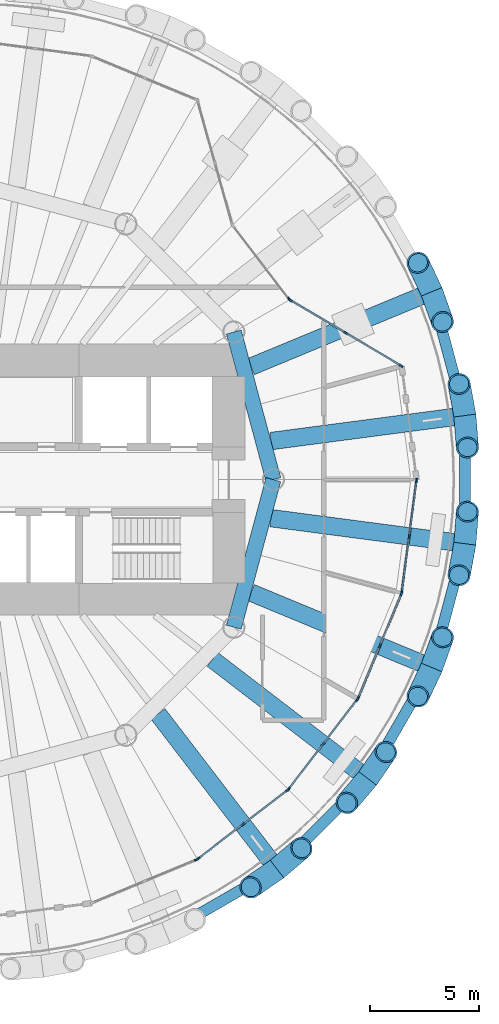
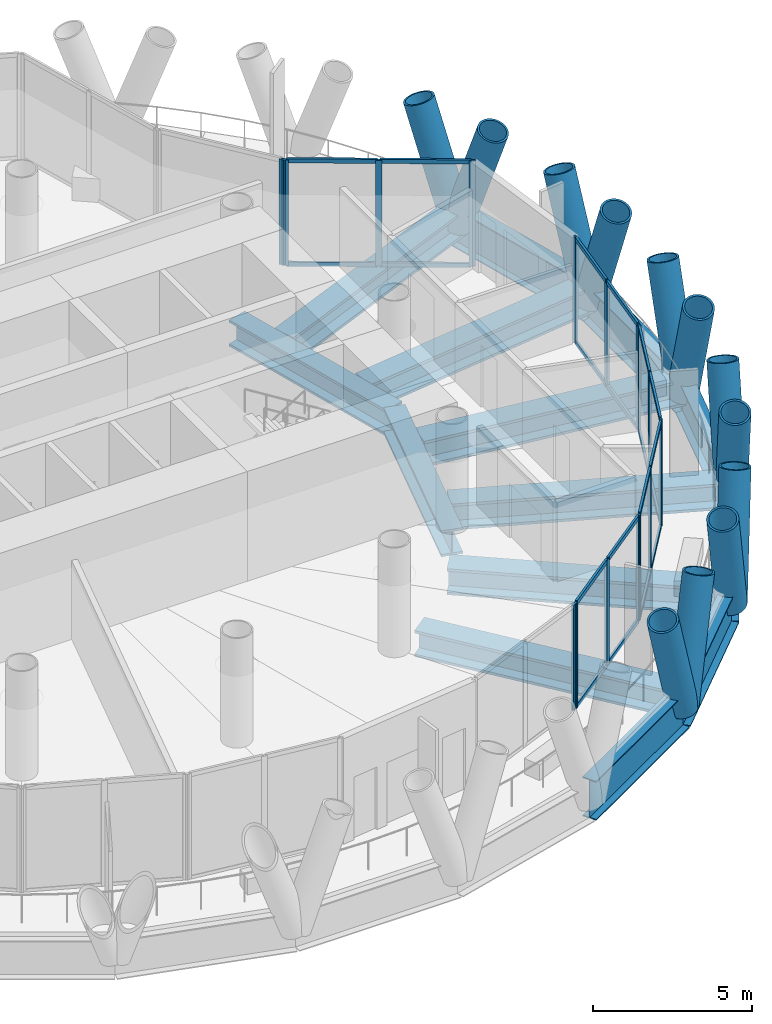
# One storey, part 4 of 14: 49 members, 14 beams, 7 elements without a shape of their own.
"""IFC4 building model written with IfcOpenShell, lengths in metres."""

from ifc_helpers import new_model, si_unit, direction, frame, origin, origin_2d, place, context, subcontext, project, spatial, rectangle, hollow_circle, i_section, extrude, material, material_profile, profile_set, type_object, element, aggregate, save


model = new_model("IFC4")

# Units and contexts
model_context = context("Model", 3, precision=1e-05, world=origin(), true_north=direction((0.0, 1.0)))
body_context = subcontext(model_context, "Body", "Model", "MODEL_VIEW")
ifc_project = project(units=[si_unit("LENGTHUNIT", "METRE"), si_unit("AREAUNIT", "SQUARE_METRE"), si_unit("VOLUMEUNIT", "CUBIC_METRE"), si_unit("PLANEANGLEUNIT", "RADIAN"), si_unit("MASSUNIT", "GRAM", prefix="KILO")], contexts=[model_context])

# Site, building, storey
site_placement = place(None, origin())
site = spatial("IfcSite", under=ifc_project, at=site_placement, CompositionType="ELEMENT")
building_placement = place(site_placement, origin())
building = spatial("IfcBuilding", under=site, at=building_placement, Name="Qaws Media Tower", CompositionType="ELEMENT")
storey_placement = place(building_placement, frame((0.0, 0.0, 236.0)))
storey = spatial("IfcBuildingStorey", under=building, at=storey_placement, Name="L54", CompositionType="ELEMENT", Elevation=236.0)

# Curtain wall, members
ifc_material_1 = material(Name="Aluminium and clear glass", Category="aluminium")
curtain_wall_type_1 = type_object("IfcCurtainWallType", Name="Loggia curtain wall CW-G", PredefinedType="NOTDEFINED", material=ifc_material_1)
curtain_wall_1_placement = place(storey_placement, origin())
curtain_wall_1 = element("IfcCurtainWall", 1, at=curtain_wall_1_placement, inside=storey, type_object=curtain_wall_type_1, Name="CWG curtain wall L54-02", PredefinedType="NOTDEFINED")
ifc_material_2 = material(Name="Aluminium mullion", Category="aluminium")
ifc_material_profile_1 = material_profile(ifc_material_2, rectangle(XDim=0.080078125, YDim=0.199951171875, at=origin_2d()), Name="80x200")
ifc_profile_set_1 = profile_set([ifc_material_profile_1], Name="Aluminium mullion")
member_type_1 = type_object("IfcMemberType", Name="Curtain wall mullion 80x200", PredefinedType="MULLION", material=ifc_profile_set_1)
member_1_placement = place(storey_placement, frame((79.33251953125, 55.209716796875, 0.0), z_axis=(0.0, 0.0, 1.0), x_axis=(-0.509950589122, -0.860203694862, 0.0)))
member_1 = element("IfcMember", 2, at=member_1_placement, type_object=member_type_1, Name="CWG mullion 1", PredefinedType="MULLION", context=body_context, shape_type="SweptSolid", body=[
    extrude(rectangle(XDim=0.080078125, YDim=0.199951171875, at=origin_2d()), origin(), (0.0, 0.0, 1.0), 4.0400390625),
])
member_2_placement = place(storey_placement, frame((76.806396484375, 56.707275390625, 0.0), z_axis=(0.0, 0.0, 1.0), x_axis=(-0.509950589122, -0.860203694862, 0.0)))
member_2 = element("IfcMember", 3, at=member_2_placement, type_object=member_type_1, Name="CWG mullion 2", PredefinedType="MULLION", context=body_context, shape_type="SweptSolid", body=[
    extrude(rectangle(XDim=0.080078125, YDim=0.199951171875, at=origin_2d()), origin(), (0.0, 0.0, 1.0), 4.0400390625),
])
member_3_placement = place(storey_placement, frame((74.280517578125, 58.20458984375, 0.0), z_axis=(0.0, 0.0, 1.0), x_axis=(-0.509950589122, -0.860203694862, 0.0)))
member_3 = element("IfcMember", 4, at=member_3_placement, type_object=member_type_1, Name="CWG mullion 3", PredefinedType="MULLION", context=body_context, shape_type="SweptSolid", body=[
    extrude(rectangle(XDim=0.080078125, YDim=0.199951171875, at=origin_2d()), origin(), (0.0, 0.0, 1.0), 4.0400390625),
])

# Curtain wall, member
curtain_wall_2_placement = place(storey_placement, origin())
curtain_wall_2 = element("IfcCurtainWall", 5, at=curtain_wall_2_placement, inside=storey, type_object=curtain_wall_type_1, Name="CWG curtain wall L54-03", PredefinedType="NOTDEFINED")
member_4_placement = place(storey_placement, frame((74.2216796875, 58.2568359375, 0.0), z_axis=(0.0, 0.0, 1.0), x_axis=(-0.793353417513, -0.608761328371, 0.0)))
member_4 = element("IfcMember", 6, at=member_4_placement, type_object=member_type_1, Name="CWG mullion 1", PredefinedType="MULLION", context=body_context, shape_type="SweptSolid", body=[
    extrude(rectangle(XDim=0.080078125, YDim=0.199951171875, at=origin_2d()), origin(), (0.0, 0.0, 1.0), 4.0400390625),
])
aggregate(curtain_wall_2, [member_4])

ifc_material_3 = material(Name="Aluminium and clear glass", Category="aluminium")
curtain_wall_type_2 = type_object("IfcCurtainWallType", Name="Unitised curtain wall CW-C", PredefinedType="NOTDEFINED", material=ifc_material_3)
curtain_wall_3_placement = place(storey_placement, origin())
curtain_wall_3 = element("IfcCurtainWall", 7, at=curtain_wall_3_placement, inside=storey, type_object=curtain_wall_type_2, Name="CWC curtain wall L54-20", PredefinedType="NOTDEFINED")
member_5_placement = place(storey_placement, frame((69.988037109375, 32.620849609375, 0.0), z_axis=(0.0, 0.0, 1.0), x_axis=(-0.382683528436, 0.923879492717, 0.0)))
member_5 = element("IfcMember", 8, at=member_5_placement, type_object=member_type_1, Name="CWC mullion 3", PredefinedType="MULLION", context=body_context, shape_type="SweptSolid", body=[
    extrude(rectangle(XDim=0.080078125, YDim=0.199951171875, at=origin_2d()), origin(), (0.0, 0.0, 1.0), 4.0400390625),
])
aggregate(curtain_wall_3, [member_5])

# Curtain wall, members
curtain_wall_4_placement = place(storey_placement, origin())
curtain_wall_4 = element("IfcCurtainWall", 9, at=curtain_wall_4_placement, inside=storey, type_object=curtain_wall_type_2, Name="CWC curtain wall L54-21", PredefinedType="NOTDEFINED")
member_6_placement = place(storey_placement, frame((70.056640625, 32.66064453125, 0.0), z_axis=(0.0, 0.0, 1.0), x_axis=(-0.608761379507, 0.793353378275, 0.0)))
member_6 = element("IfcMember", 10, at=member_6_placement, type_object=member_type_1, Name="CWC mullion 1", PredefinedType="MULLION", context=body_context, shape_type="SweptSolid", body=[
    extrude(rectangle(XDim=0.080078125, YDim=0.199951171875, at=origin_2d()), origin(), (0.0, 0.0, 1.0), 4.0400390625),
])
member_7_placement = place(storey_placement, frame((72.101318359375, 34.229248046875, 0.0), z_axis=(0.0, 0.0, 1.0), x_axis=(-0.608761379507, 0.793353378275, 0.0)))
member_7 = element("IfcMember", 11, at=member_7_placement, type_object=member_type_1, Name="CWC mullion 2", PredefinedType="MULLION", context=body_context, shape_type="SweptSolid", body=[
    extrude(rectangle(XDim=0.080078125, YDim=0.199951171875, at=origin_2d()), origin(), (0.0, 0.0, 1.0), 4.0400390625),
])
member_8_placement = place(storey_placement, frame((74.145751953125, 35.798095703125, 0.0), z_axis=(0.0, 0.0, 1.0), x_axis=(-0.608761379507, 0.793353378275, 0.0)))
member_8 = element("IfcMember", 12, at=member_8_placement, type_object=member_type_1, Name="CWC mullion 3", PredefinedType="MULLION", context=body_context, shape_type="SweptSolid", body=[
    extrude(rectangle(XDim=0.080078125, YDim=0.199951171875, at=origin_2d()), origin(), (0.0, 0.0, 1.0), 4.0400390625),
])

curtain_wall_5_placement = place(storey_placement, origin())
curtain_wall_5 = element("IfcCurtainWall", 13, at=curtain_wall_5_placement, inside=storey, type_object=curtain_wall_type_2, Name="CWC curtain wall L54-22", PredefinedType="NOTDEFINED")
member_9_placement = place(storey_placement, frame((74.201904296875, 35.854248046875, 0.0), z_axis=(0.0, 0.0, 1.0), x_axis=(-0.793353378275, 0.608761379507, 0.0)))
member_9 = element("IfcMember", 14, at=member_9_placement, type_object=member_type_1, Name="CWC mullion 1", PredefinedType="MULLION", context=body_context, shape_type="SweptSolid", body=[
    extrude(rectangle(XDim=0.080078125, YDim=0.199951171875, at=origin_2d()), origin(), (0.0, 0.0, 1.0), 4.0400390625),
])
member_10_placement = place(storey_placement, frame((75.770751953125, 37.898681640625, 0.0), z_axis=(0.0, 0.0, 1.0), x_axis=(-0.793353378275, 0.608761379507, 0.0)))
member_10 = element("IfcMember", 15, at=member_10_placement, type_object=member_type_1, Name="CWC mullion 2", PredefinedType="MULLION", context=body_context, shape_type="SweptSolid", body=[
    extrude(rectangle(XDim=0.080078125, YDim=0.199951171875, at=origin_2d()), origin(), (0.0, 0.0, 1.0), 4.0400390625),
])
member_11_placement = place(storey_placement, frame((77.33935546875, 39.943359375, 0.0), z_axis=(0.0, 0.0, 1.0), x_axis=(-0.793353378275, 0.608761379507, 0.0)))
member_11 = element("IfcMember", 16, at=member_11_placement, type_object=member_type_1, Name="CWC mullion 3", PredefinedType="MULLION", context=body_context, shape_type="SweptSolid", body=[
    extrude(rectangle(XDim=0.080078125, YDim=0.199951171875, at=origin_2d()), origin(), (0.0, 0.0, 1.0), 4.0400390625),
])

curtain_wall_6_placement = place(storey_placement, origin())
curtain_wall_6 = element("IfcCurtainWall", 17, at=curtain_wall_6_placement, inside=storey, type_object=curtain_wall_type_2, Name="CWC curtain wall L54-23", PredefinedType="NOTDEFINED")
member_12_placement = place(storey_placement, frame((77.379150390625, 40.011962890625, 0.0), z_axis=(0.0, 0.0, 1.0), x_axis=(-0.923879492717, 0.382683528436, 0.0)))
member_12 = element("IfcMember", 18, at=member_12_placement, type_object=member_type_1, Name="CWC mullion 1", PredefinedType="MULLION", context=body_context, shape_type="SweptSolid", body=[
    extrude(rectangle(XDim=0.080078125, YDim=0.199951171875, at=origin_2d()), origin(), (0.0, 0.0, 1.0), 4.0400390625),
])
member_13_placement = place(storey_placement, frame((78.365234375, 42.392822265625, 0.0), z_axis=(0.0, 0.0, 1.0), x_axis=(-0.923879492717, 0.382683528436, 0.0)))
member_13 = element("IfcMember", 19, at=member_13_placement, type_object=member_type_1, Name="CWC mullion 2", PredefinedType="MULLION", context=body_context, shape_type="SweptSolid", body=[
    extrude(rectangle(XDim=0.080078125, YDim=0.199951171875, at=origin_2d()), origin(), (0.0, 0.0, 1.0), 4.0400390625),
])
member_14_placement = place(storey_placement, frame((79.3515625, 44.773681640625, 0.0), z_axis=(0.0, 0.0, 1.0), x_axis=(-0.923879492717, 0.382683528436, 0.0)))
member_14 = element("IfcMember", 20, at=member_14_placement, type_object=member_type_1, Name="CWC mullion 3", PredefinedType="MULLION", context=body_context, shape_type="SweptSolid", body=[
    extrude(rectangle(XDim=0.080078125, YDim=0.199951171875, at=origin_2d()), origin(), (0.0, 0.0, 1.0), 4.0400390625),
])

curtain_wall_7_placement = place(storey_placement, origin())
curtain_wall_7 = element("IfcCurtainWall", 21, at=curtain_wall_7_placement, inside=storey, type_object=curtain_wall_type_2, Name="CWC curtain wall L54-24", PredefinedType="NOTDEFINED")
member_15_placement = place(storey_placement, frame((79.3720703125, 44.850341796875, 0.0), z_axis=(0.0, 0.0, 1.0), x_axis=(-0.99144486637, 0.130526154272, 0.0)))
member_15 = element("IfcMember", 22, at=member_15_placement, type_object=member_type_1, Name="CWC mullion 1", PredefinedType="MULLION", context=body_context, shape_type="SweptSolid", body=[
    extrude(rectangle(XDim=0.080078125, YDim=0.199951171875, at=origin_2d()), origin(), (0.0, 0.0, 1.0), 4.0400390625),
])
member_16_placement = place(storey_placement, frame((79.70849609375, 47.4052734375, 0.0), z_axis=(0.0, 0.0, 1.0), x_axis=(-0.99144486637, 0.130526154272, 0.0)))
member_16 = element("IfcMember", 23, at=member_16_placement, type_object=member_type_1, Name="CWC mullion 2", PredefinedType="MULLION", context=body_context, shape_type="SweptSolid", body=[
    extrude(rectangle(XDim=0.080078125, YDim=0.199951171875, at=origin_2d()), origin(), (0.0, 0.0, 1.0), 4.0400390625),
])
member_17_placement = place(storey_placement, frame((80.044677734375, 49.96044921875, 0.0), z_axis=(0.0, 0.0, 1.0), x_axis=(-0.99144486637, 0.130526154272, 0.0)))
member_17 = element("IfcMember", 24, at=member_17_placement, type_object=member_type_1, Name="CWC mullion 3", PredefinedType="MULLION", context=body_context, shape_type="SweptSolid", body=[
    extrude(rectangle(XDim=0.080078125, YDim=0.199951171875, at=origin_2d()), origin(), (0.0, 0.0, 1.0), 4.0400390625),
])

# Member
ifc_material_4 = material(Name="Aluminium transom", Category="aluminium")
ifc_material_profile_2 = material_profile(ifc_material_4, rectangle(XDim=0.080078125, YDim=0.159912109375, at=origin_2d()), Name="80x160")
ifc_profile_set_2 = profile_set([ifc_material_profile_2], Name="Aluminium transom")
member_type_2 = type_object("IfcMemberType", Name="Curtain wall transom 80x160", PredefinedType="USERDEFINED", material=ifc_profile_set_2)
member_18_placement = place(storey_placement, frame((79.298095703125, 55.230224609375, 0.0400390625), z_axis=(-0.860233219023, 0.509900783377, 0.0), x_axis=(-0.509900783377, -0.860233219023, 0.0)))
member_18 = element("IfcMember", 25, at=member_18_placement, type_object=member_type_2, Name="CWG transom 1.1", ObjectType="TRANSOM", PredefinedType="USERDEFINED", context=body_context, shape_type="SweptSolid", body=[
    extrude(rectangle(XDim=0.080078125, YDim=0.159912109375, at=origin_2d()), origin(), (0.0, 0.0, 1.0), 2.8564453125),
])

member_19_placement = place(storey_placement, frame((79.298095703125, 55.230224609375, 4.0), z_axis=(-0.860233219023, 0.509900783377, 0.0), x_axis=(-0.509900783377, -0.860233219023, 0.0)))
member_19 = element("IfcMember", 26, at=member_19_placement, type_object=member_type_2, Name="CWG transom 1.2", ObjectType="TRANSOM", PredefinedType="USERDEFINED", context=body_context, shape_type="SweptSolid", body=[
    extrude(rectangle(XDim=0.080078125, YDim=0.159912109375, at=origin_2d()), origin(), (0.0, 0.0, 1.0), 2.8564453125),
])

member_20_placement = place(storey_placement, frame((76.77197265625, 56.7275390625, 0.0400390625), z_axis=(-0.860210995051, 0.509938274689, 0.0), x_axis=(-0.509938274689, -0.860210995051, 0.0)))
member_20 = element("IfcMember", 27, at=member_20_placement, type_object=member_type_2, Name="CWG transom 2.1", ObjectType="TRANSOM", PredefinedType="USERDEFINED", context=body_context, shape_type="SweptSolid", body=[
    extrude(rectangle(XDim=0.080078125, YDim=0.159912109375, at=origin_2d()), origin(), (0.0, 0.0, 1.0), 2.856201171875),
])

member_21_placement = place(storey_placement, frame((76.77197265625, 56.7275390625, 4.0), z_axis=(-0.860210995051, 0.509938274689, 0.0), x_axis=(-0.509938274689, -0.860210995051, 0.0)))
member_21 = element("IfcMember", 28, at=member_21_placement, type_object=member_type_2, Name="CWG transom 2.2", ObjectType="TRANSOM", PredefinedType="USERDEFINED", context=body_context, shape_type="SweptSolid", body=[
    extrude(rectangle(XDim=0.080078125, YDim=0.159912109375, at=origin_2d()), origin(), (0.0, 0.0, 1.0), 2.856201171875),
])

aggregate(curtain_wall_1, [member_1, member_2, member_3, member_18, member_19, member_20, member_21])

member_22_placement = place(storey_placement, frame((70.08837890625, 32.684814453125, 0.0400390625), z_axis=(0.793346659546, 0.608770135427, 0.0), x_axis=(-0.608770135427, 0.793346659546, 0.0)))
member_22 = element("IfcMember", 29, at=member_22_placement, type_object=member_type_2, Name="CWC transom 1.1", ObjectType="TRANSOM", PredefinedType="USERDEFINED", context=body_context, shape_type="SweptSolid", body=[
    extrude(rectangle(XDim=0.080078125, YDim=0.159912109375, at=origin_2d()), origin(), (0.0, 0.0, 1.0), 2.497314453125),
])

member_23_placement = place(storey_placement, frame((70.08837890625, 32.684814453125, 4.0), z_axis=(0.793346659546, 0.608770135427, 0.0), x_axis=(-0.608770135427, 0.793346659546, 0.0)))
member_23 = element("IfcMember", 30, at=member_23_placement, type_object=member_type_2, Name="CWC transom 1.2", ObjectType="TRANSOM", PredefinedType="USERDEFINED", context=body_context, shape_type="SweptSolid", body=[
    extrude(rectangle(XDim=0.080078125, YDim=0.159912109375, at=origin_2d()), origin(), (0.0, 0.0, 1.0), 2.497314453125),
])

member_24_placement = place(storey_placement, frame((72.133056640625, 34.253662109375, 0.0400390625), z_axis=(0.793310424261, 0.608817354187, 0.0), x_axis=(-0.608817354187, 0.793310424261, 0.0)))
member_24 = element("IfcMember", 31, at=member_24_placement, type_object=member_type_2, Name="CWC transom 2.1", ObjectType="TRANSOM", PredefinedType="USERDEFINED", context=body_context, shape_type="SweptSolid", body=[
    extrude(rectangle(XDim=0.080078125, YDim=0.159912109375, at=origin_2d()), origin(), (0.0, 0.0, 1.0), 2.4970703125),
])

member_25_placement = place(storey_placement, frame((72.133056640625, 34.253662109375, 4.0), z_axis=(0.793310424261, 0.608817354187, 0.0), x_axis=(-0.608817354187, 0.793310424261, 0.0)))
member_25 = element("IfcMember", 32, at=member_25_placement, type_object=member_type_2, Name="CWC transom 2.2", ObjectType="TRANSOM", PredefinedType="USERDEFINED", context=body_context, shape_type="SweptSolid", body=[
    extrude(rectangle(XDim=0.080078125, YDim=0.159912109375, at=origin_2d()), origin(), (0.0, 0.0, 1.0), 2.4970703125),
])

aggregate(curtain_wall_4, [member_6, member_7, member_8, member_22, member_23, member_24, member_25])

member_26_placement = place(storey_placement, frame((74.22607421875, 35.885986328125, 0.0400390625), z_axis=(0.608817354187, 0.793310424261, 0.0), x_axis=(-0.793310424261, 0.608817354187, 0.0)))
member_26 = element("IfcMember", 33, at=member_26_placement, type_object=member_type_2, Name="CWC transom 1.1", ObjectType="TRANSOM", PredefinedType="USERDEFINED", context=body_context, shape_type="SweptSolid", body=[
    extrude(rectangle(XDim=0.080078125, YDim=0.159912109375, at=origin_2d()), origin(), (0.0, 0.0, 1.0), 2.4970703125),
])

member_27_placement = place(storey_placement, frame((74.22607421875, 35.885986328125, 4.0), z_axis=(0.608817354187, 0.793310424261, 0.0), x_axis=(-0.793310424261, 0.608817354187, 0.0)))
member_27 = element("IfcMember", 34, at=member_27_placement, type_object=member_type_2, Name="CWC transom 1.2", ObjectType="TRANSOM", PredefinedType="USERDEFINED", context=body_context, shape_type="SweptSolid", body=[
    extrude(rectangle(XDim=0.080078125, YDim=0.159912109375, at=origin_2d()), origin(), (0.0, 0.0, 1.0), 2.4970703125),
])

member_28_placement = place(storey_placement, frame((75.794921875, 37.930419921875, 0.0400390625), z_axis=(0.608770135427, 0.793346659546, 0.0), x_axis=(-0.793346659546, 0.608770135427, 0.0)))
member_28 = element("IfcMember", 35, at=member_28_placement, type_object=member_type_2, Name="CWC transom 2.1", ObjectType="TRANSOM", PredefinedType="USERDEFINED", context=body_context, shape_type="SweptSolid", body=[
    extrude(rectangle(XDim=0.080078125, YDim=0.159912109375, at=origin_2d()), origin(), (0.0, 0.0, 1.0), 2.497314453125),
])

member_29_placement = place(storey_placement, frame((75.794921875, 37.930419921875, 4.0), z_axis=(0.608770135427, 0.793346659546, 0.0), x_axis=(-0.793346659546, 0.608770135427, 0.0)))
member_29 = element("IfcMember", 36, at=member_29_placement, type_object=member_type_2, Name="CWC transom 2.2", ObjectType="TRANSOM", PredefinedType="USERDEFINED", context=body_context, shape_type="SweptSolid", body=[
    extrude(rectangle(XDim=0.080078125, YDim=0.159912109375, at=origin_2d()), origin(), (0.0, 0.0, 1.0), 2.497314453125),
])

aggregate(curtain_wall_5, [member_9, member_10, member_11, member_26, member_27, member_28, member_29])

member_30_placement = place(storey_placement, frame((77.39453125, 40.048828125, 0.0400390625), z_axis=(0.38265688181, 0.923890529664, 0.0), x_axis=(-0.923890529664, 0.38265688181, 0.0)))
member_30 = element("IfcMember", 37, at=member_30_placement, type_object=member_type_2, Name="CWC transom 1.1", ObjectType="TRANSOM", PredefinedType="USERDEFINED", context=body_context, shape_type="SweptSolid", body=[
    extrude(rectangle(XDim=0.080078125, YDim=0.159912109375, at=origin_2d()), origin(), (0.0, 0.0, 1.0), 2.4970703125),
])

member_31_placement = place(storey_placement, frame((77.39453125, 40.048828125, 4.0), z_axis=(0.38265688181, 0.923890529664, 0.0), x_axis=(-0.923890529664, 0.38265688181, 0.0)))
member_31 = element("IfcMember", 38, at=member_31_placement, type_object=member_type_2, Name="CWC transom 1.2", ObjectType="TRANSOM", PredefinedType="USERDEFINED", context=body_context, shape_type="SweptSolid", body=[
    extrude(rectangle(XDim=0.080078125, YDim=0.159912109375, at=origin_2d()), origin(), (0.0, 0.0, 1.0), 2.4970703125),
])

member_32_placement = place(storey_placement, frame((78.380615234375, 42.4296875, 0.0400390625), z_axis=(0.38265688181, 0.923890529664, 0.0), x_axis=(-0.923890529664, 0.38265688181, 0.0)))
member_32 = element("IfcMember", 39, at=member_32_placement, type_object=member_type_2, Name="CWC transom 2.1", ObjectType="TRANSOM", PredefinedType="USERDEFINED", context=body_context, shape_type="SweptSolid", body=[
    extrude(rectangle(XDim=0.080078125, YDim=0.159912109375, at=origin_2d()), origin(), (0.0, 0.0, 1.0), 2.4970703125),
])

member_33_placement = place(storey_placement, frame((78.380615234375, 42.4296875, 4.0), z_axis=(0.38265688181, 0.923890529664, 0.0), x_axis=(-0.923890529664, 0.38265688181, 0.0)))
member_33 = element("IfcMember", 40, at=member_33_placement, type_object=member_type_2, Name="CWC transom 2.2", ObjectType="TRANSOM", PredefinedType="USERDEFINED", context=body_context, shape_type="SweptSolid", body=[
    extrude(rectangle(XDim=0.080078125, YDim=0.159912109375, at=origin_2d()), origin(), (0.0, 0.0, 1.0), 2.4970703125),
])

aggregate(curtain_wall_6, [member_12, member_13, member_14, member_30, member_31, member_32, member_33])

member_34_placement = place(storey_placement, frame((79.377197265625, 44.889892578125, 0.0400390625), z_axis=(0.130517737487, 0.991445974424, 0.0), x_axis=(-0.991445974424, 0.130517737487, 0.0)))
member_34 = element("IfcMember", 41, at=member_34_placement, type_object=member_type_2, Name="CWC transom 1.1", ObjectType="TRANSOM", PredefinedType="USERDEFINED", context=body_context, shape_type="SweptSolid", body=[
    extrude(rectangle(XDim=0.080078125, YDim=0.159912109375, at=origin_2d()), origin(), (0.0, 0.0, 1.0), 2.4970703125),
])

member_35_placement = place(storey_placement, frame((79.377197265625, 44.889892578125, 4.0), z_axis=(0.130517737487, 0.991445974424, 0.0), x_axis=(-0.991445974424, 0.130517737487, 0.0)))
member_35 = element("IfcMember", 42, at=member_35_placement, type_object=member_type_2, Name="CWC transom 1.2", ObjectType="TRANSOM", PredefinedType="USERDEFINED", context=body_context, shape_type="SweptSolid", body=[
    extrude(rectangle(XDim=0.080078125, YDim=0.159912109375, at=origin_2d()), origin(), (0.0, 0.0, 1.0), 2.4970703125),
])

member_36_placement = place(storey_placement, frame((79.713623046875, 47.445068359375, 0.0400390625), z_axis=(0.130530389761, 0.991444308748, 0.0), x_axis=(-0.991444308748, 0.130530389761, 0.0)))
member_36 = element("IfcMember", 43, at=member_36_placement, type_object=member_type_2, Name="CWC transom 2.1", ObjectType="TRANSOM", PredefinedType="USERDEFINED", context=body_context, shape_type="SweptSolid", body=[
    extrude(rectangle(XDim=0.080078125, YDim=0.159912109375, at=origin_2d()), origin(), (0.0, 0.0, 1.0), 2.4970703125),
])

member_37_placement = place(storey_placement, frame((79.713623046875, 47.445068359375, 4.0), z_axis=(0.130530389761, 0.991444308748, 0.0), x_axis=(-0.991444308748, 0.130530389761, 0.0)))
member_37 = element("IfcMember", 44, at=member_37_placement, type_object=member_type_2, Name="CWC transom 2.2", ObjectType="TRANSOM", PredefinedType="USERDEFINED", context=body_context, shape_type="SweptSolid", body=[
    extrude(rectangle(XDim=0.080078125, YDim=0.159912109375, at=origin_2d()), origin(), (0.0, 0.0, 1.0), 2.4970703125),
])

aggregate(curtain_wall_7, [member_15, member_16, member_17, member_34, member_35, member_36, member_37])

# Members
ifc_material_5 = material(Name="Steel S460", Category="steel")
ifc_material_profile_3 = material_profile(ifc_material_5, hollow_circle(Radius=0.508056640625, WallThickness=0.070068359375, at=origin_2d()), Name="CHS 1016x70")
ifc_profile_set_3 = profile_set([ifc_material_profile_3], Name="Steel S460")
member_type_3 = type_object("IfcMemberType", Name="Diagrid member CHS 1016x70", PredefinedType="USERDEFINED", material=ifc_profile_set_3)
for number, where, z_axis, x_axis, name in (
    (45, (82.258056640625, 52.930419921875, -0.909912109375), (-0.05931662613, 0.324677591868, 0.943962922579), (-0.983717934113, -0.179719298086, 0.0), "DG3 diagrid L54 A01"),
    (46, (82.258056640625, 52.930419921875, -0.909912109375), (0.026722269724, -0.329007657627, 0.943949088417), (0.996717819765, 0.080954232526, 0.0), "DG3 diagrid L54 B01"),
    (47, (80.7412109375, 58.59130859375, -0.909912109375), (-0.14135120476, 0.298231287993, 0.943969245142), (-0.903639637176, -0.428293598043, 0.0), "DG3 diagrid L54 A02"),
    (48, (80.7412109375, 58.59130859375, -0.909912109375), (0.110950962725, -0.310849260058, 0.943961133412), (0.941805836856, 0.336157352537, 0.0), "DG3 diagrid L54 B02"),
    (49, (73.666748046875, 32.189208984375, -0.909912109375), (0.251534418971, 0.213672562713, 0.943967410463), (-0.647416736065, 0.762136188527, 0.0), "DG3 diagrid L54 A21"),
    (50, (73.666748046875, 32.189208984375, -0.909912109375), (-0.271506770556, -0.187662319179, 0.943963414282), (0.568587362176, -0.822622885394, 0.0), "DG3 diagrid L54 B21"),
    (51, (77.810791015625, 36.333251953125, -0.909912109375), (0.187662319179, 0.271506770556, 0.943963414282), (-0.822622885394, 0.568587362176, 0.0), "DG3 diagrid L54 A22"),
    (52, (77.810791015625, 36.333251953125, -0.909912109375), (-0.213672562713, -0.251534418971, 0.943967410463), (0.762136188527, -0.647416736065, 0.0), "DG3 diagrid L54 B22"),
    (53, (80.7412109375, 41.40869140625, -0.909912109375), (0.110950962725, 0.310849260058, 0.943961133412), (-0.941805836856, 0.336157352537, 0.0), "DG3 diagrid L54 A23"),
    (54, (80.7412109375, 41.40869140625, -0.909912109375), (-0.14135120476, -0.298231287993, 0.943969245142), (0.903639637176, -0.428293598043, 0.0), "DG3 diagrid L54 B23"),
    (55, (82.258056640625, 47.069580078125, -0.909912109375), (0.026722269724, 0.329007657627, 0.943949088417), (-0.996717819765, 0.080954232526, 0.0), "DG3 diagrid L54 A24"),
    (56, (82.258056640625, 47.069580078125, -0.909912109375), (-0.05931662613, -0.324677591868, 0.943962922579), (0.983717934113, -0.179719298086, 0.0), "DG3 diagrid L54 B24"),
):
    element("IfcMember", number, at=place(storey_placement, frame(where, z_axis=z_axis, x_axis=x_axis)), inside=storey, type_object=member_type_3, Name=name, ObjectType="DIAGRID", PredefinedType="USERDEFINED", context=body_context, shape_type="SweptSolid", body=[
        extrude(hollow_circle(Radius=0.508056640625, WallThickness=0.070068359375, at=origin_2d()), origin(), (0.0, 0.0, 1.0), 4.44921875),
    ])

# Beams
ifc_material_6 = material(Name="Steel S460", Category="steel")
ifc_material_profile_4 = material_profile(ifc_material_6, i_section(OverallWidth=0.5, OverallDepth=1.5, WebThickness=0.02001953125, FlangeThickness=0.0400390625, at=origin_2d()), Name="PG 1500x500")
ifc_profile_set_4 = profile_set([ifc_material_profile_4], Name="Steel S460")
beam_type_1 = type_object("IfcBeamType", Name="Edge ring beam PG 1500x500", PredefinedType="BEAM", material=ifc_profile_set_4)
for number, where, z_axis, x_axis, name in (
    (57, (82.258056640625, 52.930419921875, -0.909912109375), (-0.258821457805, 0.965925179804, 0.0), (-0.965925179804, -0.258821457805, 0.0), "RB4 edge ring beam L54-01"),
    (58, (68.59130859375, 29.2587890625, -0.909912109375), (0.866017011316, 0.5000145359, 0.0), (-0.5000145359, 0.866017011316, 0.0), "RB4 edge ring beam L54-20"),
    (59, (73.666748046875, 32.189208984375, -0.909912109375), (0.707106781187, 0.707106781187, 0.0), (-0.707106781187, 0.707106781187, 0.0), "RB4 edge ring beam L54-21"),
    (60, (77.810791015625, 36.333251953125, -0.909912109375), (0.5000145359, 0.866017011316, 0.0), (-0.866017011316, 0.5000145359, 0.0), "RB4 edge ring beam L54-22"),
    (61, (80.7412109375, 41.40869140625, -0.909912109375), (0.258821457805, 0.965925179804, 0.0), (-0.965925179804, 0.258821457805, 0.0), "RB4 edge ring beam L54-23"),
):
    element("IfcBeam", number, at=place(storey_placement, frame(where, z_axis=z_axis, x_axis=x_axis)), inside=storey, type_object=beam_type_1, Name=name, PredefinedType="BEAM", context=body_context, shape_type="SweptSolid", body=[
        extrude(i_section(OverallWidth=0.5, OverallDepth=1.5, WebThickness=0.02001953125, FlangeThickness=0.0400390625, at=origin_2d()), origin(), (0.0, 0.0, 1.0), 5.860595703125),
    ])
beam_placement = place(storey_placement, frame((82.258056640625, 47.069580078125, -0.909912109375), z_axis=(0.0, 1.0, 0.0), x_axis=(-1.0, 0.0, 0.0)))
element("IfcBeam", 62, at=beam_placement, inside=storey, type_object=beam_type_1, Name="RB4 edge ring beam L54-24", PredefinedType="BEAM", context=body_context, shape_type="SweptSolid", body=[
    extrude(i_section(OverallWidth=0.5, OverallDepth=1.5, WebThickness=0.02001953125, FlangeThickness=0.0400390625, at=origin_2d()), origin(), (0.0, 0.0, 1.0), 5.86083984375),
])
ifc_material_7 = material(Name="Steel S460", Category="steel")
ifc_material_profile_5 = material_profile(ifc_material_7, i_section(OverallWidth=0.699951171875, OverallDepth=1.0, WebThickness=0.034912109375, FlangeThickness=0.090087890625, at=origin_2d()), Name="PG 1000x700")
ifc_profile_set_5 = profile_set([ifc_material_profile_5], Name="Steel S460")
beam_type_2 = type_object("IfcBeamType", Name="Inner ring girder PG 1000x700", PredefinedType="BEAM", material=ifc_profile_set_5)
for number, where, z_axis, x_axis, name in (
    (63, (73.5, 50.0, -0.659912109375), (-0.258810593767, 0.965928090778, 0.0), (-0.965928090778, -0.258810593767, 0.0), "B3 inner ring beam L54 I01-I02"),
    (64, (71.69140625, 43.25, -0.659912109375), (0.258810593767, 0.965928090778, 0.0), (-0.965928090778, 0.258810593767, 0.0), "B3 inner ring beam L54 I12-I01"),
):
    element("IfcBeam", number, at=place(storey_placement, frame(where, z_axis=z_axis, x_axis=x_axis)), inside=storey, type_object=beam_type_2, Name=name, PredefinedType="BEAM", context=body_context, shape_type="SweptSolid", body=[
        extrude(i_section(OverallWidth=0.699951171875, OverallDepth=1.0, WebThickness=0.034912109375, FlangeThickness=0.090087890625, at=origin_2d()), origin(), (0.0, 0.0, 1.0), 6.988037109375),
    ])
ifc_material_8 = material(Name="Steel S460", Category="steel")
ifc_material_profile_6 = material_profile(ifc_material_8, i_section(OverallWidth=0.800048828125, OverallDepth=1.0, WebThickness=0.0400390625, FlangeThickness=0.10009765625, at=origin_2d()), Name="PG 1000x800")
ifc_profile_set_6 = profile_set([ifc_material_profile_6], Name="Steel S460")
beam_type_3 = type_object("IfcBeamType", Name="Radial girder PG 1000x800", PredefinedType="BEAM", material=ifc_profile_set_6)
for number, where, z_axis, x_axis, name in (
    (65, (73.389892578125, 51.762939453125, -0.659912109375), (0.991445374669, 0.130522293296, 0.0), (-0.130522293296, 0.991445374669, 0.0), "B1 radial beam L54 01"),
    (66, (72.4775390625, 55.16845703125, -0.659912109375), (0.923882433922, 0.382676427665, 0.0), (-0.382676427665, 0.923882433922, 0.0), "B1 radial beam L54 02"),
    (67, (68.2216796875, 39.285400390625, -0.659912109375), (0.608759260368, -0.793355004343, 0.0), (0.793355004343, 0.608759260368, 0.0), "B1 radial beam L54 21"),
    (68, (70.714599609375, 41.7783203125, -0.659912109375), (0.793355004343, -0.608759260368, 0.0), (0.608759260368, 0.793355004343, 0.0), "B1 radial beam L54 22"),
    (69, (72.4775390625, 44.83154296875, -0.659912109375), (0.923882433922, -0.382676427665, 0.0), (0.382676427665, 0.923882433922, 0.0), "B1 radial beam L54 23"),
    (70, (73.389892578125, 48.237060546875, -0.659912109375), (0.991445374669, -0.130522293296, 0.0), (0.130522293296, 0.991445374669, 0.0), "B1 radial beam L54 24"),
):
    element("IfcBeam", number, at=place(storey_placement, frame(where, z_axis=z_axis, x_axis=x_axis)), inside=storey, type_object=beam_type_3, Name=name, PredefinedType="BEAM", context=body_context, shape_type="SweptSolid", body=[
        extrude(i_section(OverallWidth=0.800048828125, OverallDepth=1.0, WebThickness=0.0400390625, FlangeThickness=0.10009765625, at=origin_2d()), origin(), (0.0, 0.0, 1.0), 8.944580078125),
    ])

save(model, "model.ifc")
